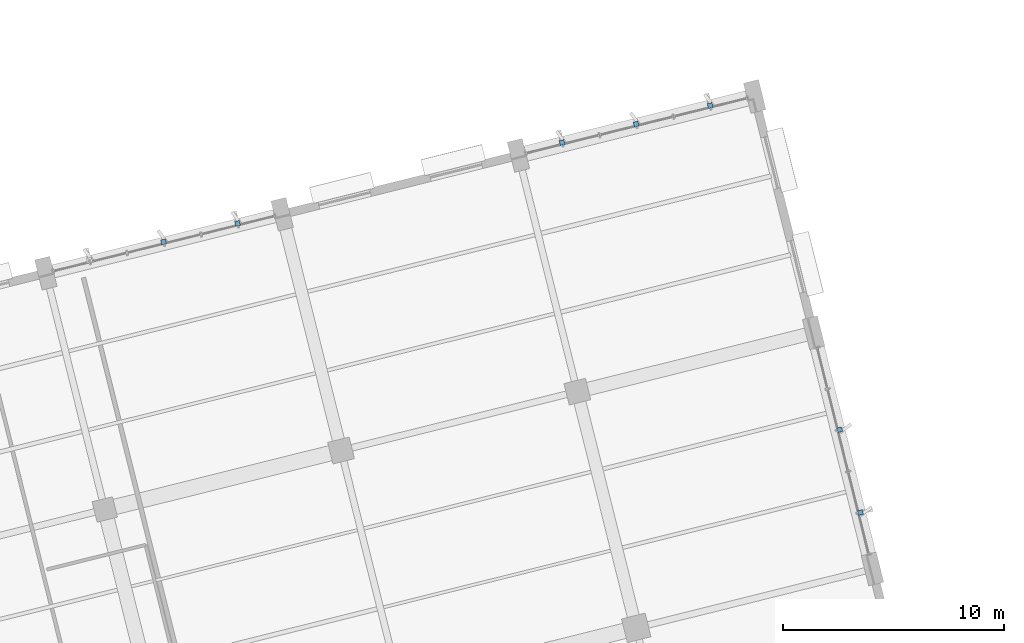
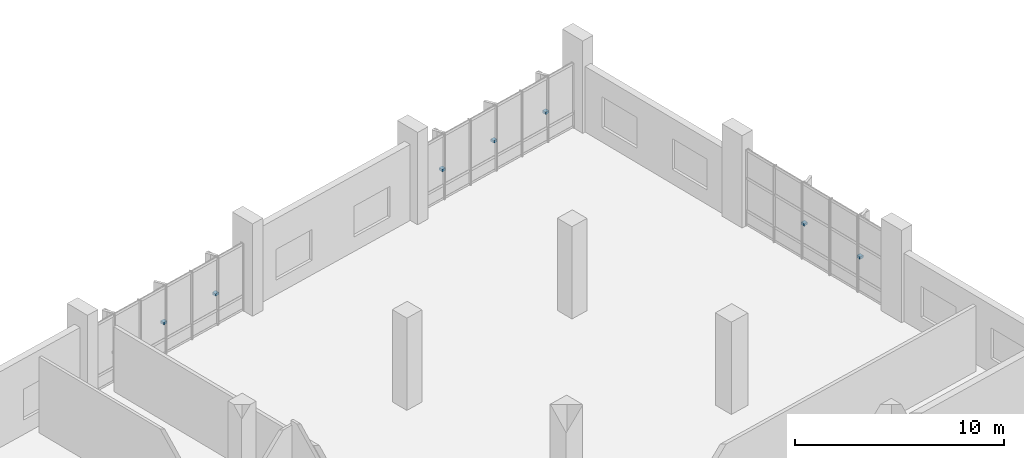
# One storey, part 158 of 176: 7 discrete accessories.
"""IFC4 building model written with IfcOpenShell, lengths in metres."""

from ifc_helpers import new_model, si_unit, direction, frame, origin, origin_2d, place, context, subcontext, project, spatial, rectangle, extrude, material, type_object, element, save


model = new_model("IFC4")

# Units and contexts
model_context = context("Model", 3, precision=1e-05, world=origin(), true_north=direction((0.0, 1.0)))
body_context = subcontext(model_context, "Body", "Model", "MODEL_VIEW")
ifc_project = project(units=[si_unit("LENGTHUNIT", "METRE"), si_unit("AREAUNIT", "SQUARE_METRE"), si_unit("VOLUMEUNIT", "CUBIC_METRE"), si_unit("PLANEANGLEUNIT", "RADIAN"), si_unit("MASSUNIT", "GRAM", prefix="KILO")], contexts=[model_context])

# Site, building, storey
site_placement = place(None, origin())
site = spatial("IfcSite", under=ifc_project, at=site_placement, CompositionType="ELEMENT")
building_placement = place(site_placement, origin())
building = spatial("IfcBuilding", under=site, at=building_placement, Name="Khorjan Park Terminus", CompositionType="ELEMENT")
storey_placement = place(building_placement, frame((0.0, 0.0, 6.0)))
storey = spatial("IfcBuildingStorey", under=building, at=storey_placement, Name="L01", CompositionType="ELEMENT", Elevation=6.0)

# Discrete accessories
ifc_material = material(Name="Steel S355", Category="steel")
discrete_accessory_type = type_object("IfcDiscreteAccessoryType", Name="ACC-BRK-FIN", PredefinedType="BRACKET", material=ifc_material)
for number, where, z_axis, x_axis, name in (
    (1, (218.8514, 63.2123, 1.9303), (0.0, 0.0, 1.0), (-0.241935125171, 0.970292427678, 0.0), "Solar fin structural bracket BK-01 (CW-V5-E-L01-B05-1)"),
    (2, (217.9185, 66.9536, 1.9303), (0.0, 0.0, 1.0), (-0.241935125171, 0.970292427678, 0.0), "Solar fin structural bracket BK-01 (CW-V5-E-L01-B05-3)"),
    (3, (212.0587, 81.5969, 1.6333), (0.0, 0.0, 1.0), (-0.970294194364, -0.241928039679, 0.0), "Solar fin structural bracket BK-01 (CW-V5-N-L01-B01-1)"),
    (4, (208.7142, 80.763, 1.6333), (0.0, 0.0, 1.0), (-0.970294194364, -0.241928039679, 0.0), "Solar fin structural bracket BK-01 (CW-V5-N-L01-B01-3)"),
    (5, (205.3696, 79.9291, 1.6333), (0.0, 0.0, 1.0), (-0.970294194364, -0.241928039679, 0.0), "Solar fin structural bracket BK-01 (CW-V5-N-L01-B01-5)"),
    (6, (190.7119, 76.2746, 1.7008), (0.0, 0.0, 1.0), (-0.970295910648, -0.241921156122, 0.0), "Solar fin structural bracket BK-01 (CW-V5-N-L01-B03-1)"),
    (7, (187.3677, 75.4408, 1.7008), (0.0, 0.0, 1.0), (-0.970295910648, -0.241921156122, 0.0), "Solar fin structural bracket BK-01 (CW-V5-N-L01-B03-3)"),
):
    element("IfcDiscreteAccessory", number, at=place(storey_placement, frame(where, z_axis=z_axis, x_axis=x_axis)), inside=storey, type_object=discrete_accessory_type, Name=name, PredefinedType="BRACKET", context=body_context, shape_type="SweptSolid", body=[
        extrude(rectangle(XDim=0.22, YDim=0.22, at=origin_2d()), origin(), (0.0, 0.0, 1.0), 0.14),
    ])

save(model, "model.ifc")
